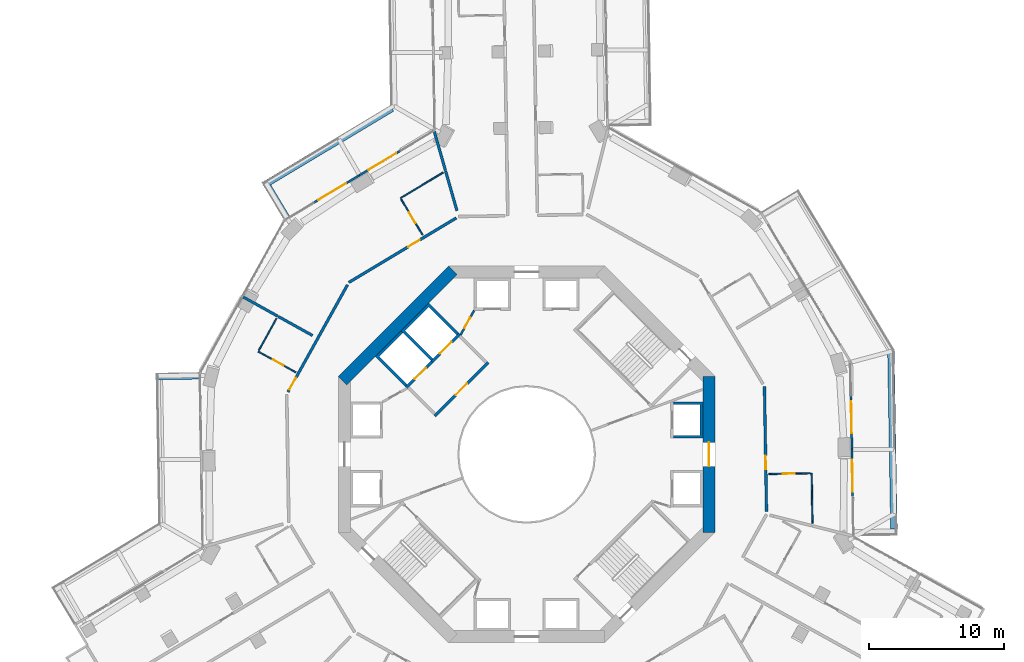
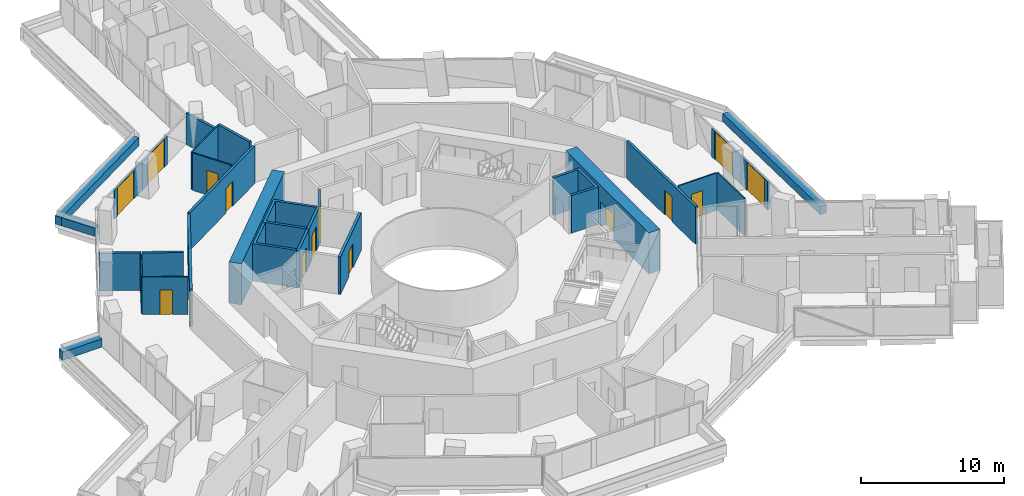
# One storey, part 20 of 25: 30 walls, 15 doors, 15 openings.
"""IFC4 building model written with IfcOpenShell, lengths in metres."""

from ifc_helpers import new_model, si_unit, direction, frame, frame_2d, origin, place, context, subcontext, project, spatial, polyline, rectangle, outline, extrude, material, layer, layer_set, type_object, element, fill, save


model = new_model("IFC4")

# Units and contexts
model_context = context("Model", 3, precision=1e-05, world=origin(), true_north=direction((0.0, 1.0)))
body_context = subcontext(model_context, "Body", "Model", "MODEL_VIEW")
ifc_project = project(units=[si_unit("LENGTHUNIT", "METRE"), si_unit("AREAUNIT", "SQUARE_METRE"), si_unit("VOLUMEUNIT", "CUBIC_METRE"), si_unit("PLANEANGLEUNIT", "RADIAN"), si_unit("MASSUNIT", "GRAM", prefix="KILO")], contexts=[model_context])

# Site, building, storey
site_placement = place(None, origin())
site = spatial("IfcSite", under=ifc_project, at=site_placement, CompositionType="ELEMENT")
building_placement = place(site_placement, origin())
building = spatial("IfcBuilding", under=site, at=building_placement, Name="Verdalira Terraces Hotel", CompositionType="ELEMENT")
storey_placement = place(building_placement, frame((0.0, 0.0, 39.0)))
storey = spatial("IfcBuildingStorey", under=building, at=storey_placement, Name="L07", CompositionType="ELEMENT", Elevation=39.0)

# Walls
ifc_material_1 = material(Name="Concrete C40", Category="concrete")
ifc_layer_1 = layer(ifc_material_1, 0.5)
ifc_layer_set_1 = layer_set([ifc_layer_1], Name="Balcony planter trough with tree")
wall_type_1 = type_object("IfcWallType", Name="Balcony planter trough with tree", PredefinedType="SOLIDWALL", material=ifc_layer_set_1)
wall_1_placement = place(storey_placement, frame((-10.007324, 25.725342, 0.0), z_axis=(0.0, 0.0, 1.0), x_axis=(-0.857529623, -0.514434589, 0.0)))
element("IfcWall", 1, at=wall_1_placement, inside=storey, type_object=wall_type_1, Name="Balcony planter", PredefinedType="SOLIDWALL", context=body_context, shape_type="SweptSolid", body=[
    extrude(rectangle(XDim=11.152588, YDim=0.5, at=frame_2d((5.576172, 0.0))), origin(), (0.0, 0.0, 1.0), 0.699951),
])
wall_2_placement = place(storey_placement, frame((-19.228027, 19.902344, 0.0), z_axis=(0.0, 0.0, 1.0), x_axis=(0.514429241, -0.857532831, 0.0)))
element("IfcWall", 2, at=wall_2_placement, inside=storey, type_object=wall_type_1, Name="Balcony planter", PredefinedType="SOLIDWALL", context=body_context, shape_type="SweptSolid", body=[
    extrude(rectangle(XDim=2.698975, YDim=0.5, at=frame_2d((1.349609, 0.0))), origin(), (0.0, 0.0, 1.0), 0.699951),
])
wall_3_placement = place(storey_placement, frame((-24.360596, 5.842773, 0.0), z_axis=(0.0, 0.0, 1.0), x_axis=(-0.999859034, -0.016790244, 0.0)))
element("IfcWall", 3, at=wall_3_placement, inside=storey, type_object=wall_type_1, Name="Balcony planter", PredefinedType="SOLIDWALL", context=body_context, shape_type="SweptSolid", body=[
    extrude(rectangle(XDim=3.198975, YDim=0.5, at=frame_2d((1.599609, 0.0))), origin(), (0.0, 0.0, 1.0), 0.699951),
])
wall_4_placement = place(storey_placement, frame((27.304932, -5.543213, 0.0), z_axis=(0.0, 0.0, 1.0), x_axis=(-0.016745874, 0.999859778, 0.0)))
element("IfcWall", 4, at=wall_4_placement, inside=storey, type_object=wall_type_1, Name="Balcony planter", PredefinedType="SOLIDWALL", context=body_context, shape_type="SweptSolid", body=[
    extrude(rectangle(XDim=13.223389, YDim=0.5, at=frame_2d((6.611816, 0.0))), origin(), (0.0, 0.0, 1.0), 0.699951),
])
ifc_material_2 = material(Name="Moisture-resistant gypsum board partition")
ifc_layer_2 = layer(ifc_material_2, 0.10009765625)
ifc_layer_set_2 = layer_set([ifc_layer_2], Name="Bathroom partition 100 mm")
wall_type_2 = type_object("IfcWallType", Name="Bathroom partition 100 mm", PredefinedType="PARTITIONING", material=ifc_layer_set_2)
wall_5_placement = place(storey_placement, frame((-19.906006, 7.735352, 0.0), z_axis=(0.0, 0.0, 1.0), x_axis=(0.485427932, 0.874276685, 0.0)))
element("IfcWall", 5, at=wall_5_placement, inside=storey, type_object=wall_type_2, Name="Bathroom partition", PredefinedType="PARTITIONING", context=body_context, shape_type="SweptSolid", body=[
    extrude(rectangle(XDim=2.699707, YDim=0.100098, at=frame_2d((1.349854, 0.0))), origin(), (0.0, 0.0, 1.0), 3.189941),
])

# Wall, opening, door
wall_6_placement = place(storey_placement, frame((-19.95459, 7.647705, 0.0), z_axis=(0.0, 0.0, 1.0), x_axis=(0.874290404, -0.485403224, 0.0)))
wall_6 = element("IfcWall", 6, at=wall_6_placement, inside=storey, type_object=wall_type_2, Name="Bathroom partition", PredefinedType="PARTITIONING", context=body_context, shape_type="SweptSolid", body=[
    extrude(rectangle(XDim=3.199951, YDim=0.100098, at=frame_2d((1.600098, 0.0))), origin(), (0.0, 0.0, 1.0), 3.189941),
])
opening_1_placement = place(wall_6_placement, frame((1.25, 0.0, 0.0)))
opening_1 = element("IfcOpeningElement", 7, at=opening_1_placement, cuts=wall_6, Name="Opening L07-111", PredefinedType="OPENING", context=body_context, shape_type="SweptSolid", body=[
    extrude(rectangle(XDim=0.899902, YDim=2.100098, at=frame_2d((0.449951, 1.050049))), frame((0.0, 0.060059, 0.0), z_axis=(0.0, -1.0, 0.0), x_axis=(1.0, 0.0, 0.0)), (0.0, 0.0, 1.0), 0.120117),
])
ifc_material_3 = material(Name="Timber door", Category="wood")
door_type_1 = type_object("IfcDoorType", Name="Bathroom door 900 x 2100", OperationType="NOTDEFINED", PredefinedType="DOOR", material=ifc_material_3)
door_1_placement = place(opening_1_placement, origin())
door_1 = element("IfcDoor", 8, at=door_1_placement, inside=storey, type_object=door_type_1, Name="Bathroom door 0705", OperationType="SINGLE_SWING_LEFT", OverallHeight=2.10009765625, OverallWidth=0.89990234375, PredefinedType="DOOR", context=body_context, shape_type="SweptSolid", body=[
    extrude(rectangle(XDim=0.899902, YDim=2.100098, at=frame_2d((0.449951, 1.050049))), frame((0.0, 0.024902, 0.0), z_axis=(0.0, -1.0, 0.0), x_axis=(1.0, 0.0, 0.0)), (0.0, 0.0, 1.0), 0.050049),
])
fill(opening_1, door_1)

wall_7_placement = place(storey_placement, frame((-9.325439, 18.962646, 0.0), z_axis=(0.0, 0.0, 1.0), x_axis=(0.514414684, -0.857541563, 0.0)))
wall_7 = element("IfcWall", 9, at=wall_7_placement, inside=storey, type_object=wall_type_2, Name="Bathroom partition", PredefinedType="PARTITIONING", context=body_context, shape_type="SweptSolid", body=[
    extrude(rectangle(XDim=3.100098, YDim=0.100098, at=frame_2d((1.550049, 0.0))), origin(), (0.0, 0.0, 1.0), 3.189941),
])
opening_2_placement = place(wall_7_placement, frame((1.149902, 0.0, 0.0)))
opening_2 = element("IfcOpeningElement", 10, at=opening_2_placement, cuts=wall_7, Name="Opening L07-109", PredefinedType="OPENING", context=body_context, shape_type="SweptSolid", body=[
    extrude(rectangle(XDim=0.899902, YDim=2.100098, at=frame_2d((0.449951, 1.050049))), frame((0.0, 0.060059, 0.0), z_axis=(0.0, -1.0, 0.0), x_axis=(1.0, 0.0, 0.0)), (0.0, 0.0, 1.0), 0.120117),
])
door_2_placement = place(opening_2_placement, origin())
door_2 = element("IfcDoor", 11, at=door_2_placement, inside=storey, type_object=door_type_1, Name="Bathroom door 0704", OperationType="SINGLE_SWING_LEFT", OverallHeight=2.10009765625, OverallWidth=0.89990234375, PredefinedType="DOOR", context=body_context, shape_type="SweptSolid", body=[
    extrude(rectangle(XDim=0.899902, YDim=2.100098, at=frame_2d((0.449951, 1.050049))), frame((0.0, 0.024902, 0.0), z_axis=(0.0, -1.0, 0.0), x_axis=(1.0, 0.0, 0.0)), (0.0, 0.0, 1.0), 0.050049),
])
fill(opening_2, door_2)

# Wall
wall_8_placement = place(storey_placement, frame((-9.376953, 19.04834, 0.0), z_axis=(0.0, 0.0, 1.0), x_axis=(0.857522003, 0.51444729, 0.0)))
element("IfcWall", 12, at=wall_8_placement, inside=storey, type_object=wall_type_2, Name="Bathroom partition", PredefinedType="PARTITIONING", context=body_context, shape_type="SweptSolid", body=[
    extrude(rectangle(XDim=3.704102, YDim=0.100098, at=frame_2d((1.852051, 0.0))), origin(), (0.0, 0.0, 1.0), 3.189941),
])

# Wall, opening, door
wall_9_placement = place(storey_placement, frame((21.084717, -1.405273, 0.0), z_axis=(0.0, 0.0, 1.0), x_axis=(-0.999859275, -0.016775898, 0.0)))
wall_9 = element("IfcWall", 13, at=wall_9_placement, inside=storey, type_object=wall_type_2, Name="Bathroom partition", PredefinedType="PARTITIONING", context=body_context, shape_type="SweptSolid", body=[
    extrude(rectangle(XDim=3.099854, YDim=0.100098, at=frame_2d((1.549805, 0.0))), origin(), (0.0, 0.0, 1.0), 3.189941),
])
opening_3_placement = place(wall_9_placement, frame((1.149902, 0.0, 0.0)))
opening_3 = element("IfcOpeningElement", 14, at=opening_3_placement, cuts=wall_9, Name="Opening L07-130", PredefinedType="OPENING", context=body_context, shape_type="SweptSolid", body=[
    extrude(rectangle(XDim=0.899902, YDim=2.100098, at=frame_2d((0.449951, 1.050049))), frame((0.0, 0.060059, 0.0), z_axis=(0.0, -1.0, 0.0), x_axis=(1.0, 0.0, 0.0)), (0.0, 0.0, 1.0), 0.120117),
])
door_3_placement = place(opening_3_placement, origin())
door_3 = element("IfcDoor", 15, at=door_3_placement, inside=storey, type_object=door_type_1, Name="Bathroom door 0714", OperationType="SINGLE_SWING_LEFT", OverallHeight=2.10009765625, OverallWidth=0.89990234375, PredefinedType="DOOR", context=body_context, shape_type="SweptSolid", body=[
    extrude(rectangle(XDim=0.899902, YDim=2.100098, at=frame_2d((0.449951, 1.050049))), frame((0.0, 0.024902, 0.0), z_axis=(0.0, -1.0, 0.0), x_axis=(1.0, 0.0, 0.0)), (0.0, 0.0, 1.0), 0.050049),
])
fill(opening_3, door_3)

# Walls
wall_10_placement = place(storey_placement, frame((21.184814, -1.403564, 0.0), z_axis=(0.0, 0.0, 1.0), x_axis=(0.01674233, -0.999859837, 0.0)))
element("IfcWall", 16, at=wall_10_placement, inside=storey, type_object=wall_type_2, Name="Bathroom partition", PredefinedType="PARTITIONING", context=body_context, shape_type="SweptSolid", body=[
    extrude(rectangle(XDim=3.703857, YDim=0.100098, at=frame_2d((1.852051, 0.0))), origin(), (0.0, 0.0, 1.0), 3.189941),
])
ifc_material_4 = material(Name="Concrete C50", Category="concrete")
ifc_layer_3 = layer(ifc_material_4, 0.199951171875)
ifc_layer_set_3 = layer_set([ifc_layer_3], Name="Core RC wall 200 C50")
wall_type_3 = type_object("IfcWallType", Name="Core RC wall 200 C50", PredefinedType="SOLIDWALL", material=ifc_layer_set_3)
wall_11_placement = place(storey_placement, origin())
element("IfcWall", 17, at=wall_11_placement, inside=storey, type_object=wall_type_3, Name="L07 shaft wall E2", PredefinedType="SOLIDWALL", context=body_context, shape_type="SweptSolid", body=[
    extrude(outline(polyline([(13.100098, 3.899902), (13.100098, 1.199951), (10.899902, 1.199951), (10.899902, 1.399902), (12.899902, 1.399902), (12.899902, 3.699951), (10.899902, 3.699951), (10.899902, 3.899902), (13.100098, 3.899902)])), origin(), (0.0, 0.0, 1.0), 3.189941),
])
wall_12_placement = place(storey_placement, origin())
element("IfcWall", 18, at=wall_12_placement, inside=storey, type_object=wall_type_3, Name="L07 shaft wall F1", PredefinedType="SOLIDWALL", context=body_context, shape_type="SweptSolid", body=[
    extrude(outline(polyline([(-9.33374, 9.192383), (-7.283203, 11.24292), (-5.055908, 9.015625), (-5.197266, 8.874268), (-7.283203, 10.960205), (-9.051025, 9.192383), (-6.965088, 7.106445), (-7.106445, 6.965088), (-9.33374, 9.192383)])), origin(), (0.0, 0.0, 1.0), 3.189941),
])

# Wall, opening, door
wall_13_placement = place(storey_placement, frame((-4.985107, 8.944824, 0.0), z_axis=(0.0, 0.0, 1.0), x_axis=(-0.707106781, -0.707106781, 0.0)))
wall_13 = element("IfcWall", 19, at=wall_13_placement, inside=storey, type_object=wall_type_3, Name="L07 shaft front wall F1", PredefinedType="SOLIDWALL", context=body_context, shape_type="SweptSolid", body=[
    extrude(rectangle(XDim=2.899902, YDim=0.199951, at=frame_2d((1.449951, 0.0))), origin(), (0.0, 0.0, 1.0), 3.189941),
])
opening_4_placement = place(wall_13_placement, frame((0.850098, 0.0, 0.0)))
opening_4 = element("IfcOpeningElement", 20, at=opening_4_placement, cuts=wall_13, Name="Opening LD-L07-807", PredefinedType="OPENING", context=body_context, shape_type="SweptSolid", body=[
    extrude(rectangle(XDim=1.199951, YDim=2.100098, at=frame_2d((0.600098, 1.050049))), frame((0.0, 0.109863, 0.0), z_axis=(0.0, -1.0, 0.0), x_axis=(1.0, 0.0, 0.0)), (0.0, 0.0, 1.0), 0.219971),
])
ifc_material_5 = material(Name="Stainless steel", Category="steel")
door_type_2 = type_object("IfcDoorType", Name="Landing door 1200 x 2100", OperationType="NOTDEFINED", PredefinedType="DOOR", material=ifc_material_5)
door_4_placement = place(opening_4_placement, origin())
door_4 = element("IfcDoor", 21, at=door_4_placement, inside=storey, type_object=door_type_2, Name="Lift landing door LF11 L07", OperationType="DOUBLE_DOOR_SLIDING", OverallHeight=2.10009765625, OverallWidth=1.199951171875, PredefinedType="DOOR", context=body_context, shape_type="SweptSolid", body=[
    extrude(rectangle(XDim=1.199951, YDim=2.100098, at=frame_2d((0.600098, 1.050049))), frame((0.0, 0.024902, 0.0), z_axis=(0.0, -1.0, 0.0), x_axis=(1.0, 0.0, 0.0)), (0.0, 0.0, 1.0), 0.050049),
])
fill(opening_4, door_4)

# Wall
wall_14_placement = place(storey_placement, origin())
element("IfcWall", 22, at=wall_14_placement, inside=storey, type_object=wall_type_3, Name="L07 shaft wall F2", PredefinedType="SOLIDWALL", context=body_context, shape_type="SweptSolid", body=[
    extrude(outline(polyline([(-11.24292, 7.283203), (-9.33374, 9.192383), (-9.192383, 9.051025), (-10.960205, 7.283203), (-8.874268, 5.197266), (-9.015625, 5.055908), (-11.24292, 7.283203)])), origin(), (0.0, 0.0, 1.0), 3.189941),
])

# Wall, opening, door
wall_15_placement = place(storey_placement, frame((-7.035645, 6.894287, 0.0), z_axis=(0.0, 0.0, 1.0), x_axis=(-0.707106781, -0.707106781, 0.0)))
wall_15 = element("IfcWall", 23, at=wall_15_placement, inside=storey, type_object=wall_type_3, Name="L07 shaft front wall F2", PredefinedType="SOLIDWALL", context=body_context, shape_type="SweptSolid", body=[
    extrude(rectangle(XDim=2.699951, YDim=0.199951, at=frame_2d((1.350098, 0.0))), origin(), (0.0, 0.0, 1.0), 3.189941),
])
opening_5_placement = place(wall_15_placement, frame((0.649902, 0.0, 0.0)))
opening_5 = element("IfcOpeningElement", 24, at=opening_5_placement, cuts=wall_15, Name="Opening LD-L07-808", PredefinedType="OPENING", context=body_context, shape_type="SweptSolid", body=[
    extrude(rectangle(XDim=1.199951, YDim=2.100098, at=frame_2d((0.600098, 1.050049))), frame((0.0, 0.109863, 0.0), z_axis=(0.0, -1.0, 0.0), x_axis=(1.0, 0.0, 0.0)), (0.0, 0.0, 1.0), 0.219971),
])
door_5_placement = place(opening_5_placement, origin())
door_5 = element("IfcDoor", 25, at=door_5_placement, inside=storey, type_object=door_type_2, Name="Lift landing door LF12 L07", OperationType="DOUBLE_DOOR_SLIDING", OverallHeight=2.10009765625, OverallWidth=1.199951171875, PredefinedType="DOOR", context=body_context, shape_type="SweptSolid", body=[
    extrude(rectangle(XDim=1.199951, YDim=2.100098, at=frame_2d((0.600098, 1.050049))), frame((0.0, 0.024902, 0.0), z_axis=(0.0, -1.0, 0.0), x_axis=(1.0, 0.0, 0.0)), (0.0, 0.0, 1.0), 0.050049),
])
fill(opening_5, door_5)

wall_16_placement = place(storey_placement, frame((-2.86377, 6.823486, 0.0), z_axis=(0.0, 0.0, 1.0), x_axis=(-0.707106781, -0.707106781, 0.0)))
wall_16 = element("IfcWall", 26, at=wall_16_placement, inside=storey, type_object=wall_type_3, Name="L07 fire lobby wall", PredefinedType="SOLIDWALL", context=body_context, shape_type="SweptSolid", body=[
    extrude(rectangle(XDim=5.599854, YDim=0.199951, at=frame_2d((2.799805, 0.0))), origin(), (0.0, 0.0, 1.0), 3.189941),
])
opening_6_placement = place(wall_16_placement, frame((2.199951, 0.0, 0.0)))
opening_6 = element("IfcOpeningElement", 27, at=opening_6_placement, cuts=wall_16, Name="Opening L07-819", PredefinedType="OPENING", context=body_context, shape_type="SweptSolid", body=[
    extrude(rectangle(XDim=1.199951, YDim=2.100098, at=frame_2d((0.600098, 1.050049))), frame((0.0, 0.109863, 0.0), z_axis=(0.0, -1.0, 0.0), x_axis=(1.0, 0.0, 0.0)), (0.0, 0.0, 1.0), 0.219971),
])
ifc_material_6 = material(Name="Steel fire door", Category="steel")
door_type_3 = type_object("IfcDoorType", Name="Lobby door 1200 x 2100", OperationType="NOTDEFINED", PredefinedType="DOOR", material=ifc_material_6)
door_6_placement = place(opening_6_placement, origin())
door_6 = element("IfcDoor", 28, at=door_6_placement, inside=storey, type_object=door_type_3, Name="Fire lobby door L07", OperationType="SINGLE_SWING_LEFT", OverallHeight=2.10009765625, OverallWidth=1.199951171875, PredefinedType="DOOR", context=body_context, shape_type="SweptSolid", body=[
    extrude(rectangle(XDim=1.199951, YDim=2.100098, at=frame_2d((0.600098, 1.050049))), frame((0.0, 0.024902, 0.0), z_axis=(0.0, -1.0, 0.0), x_axis=(1.0, 0.0, 0.0)), (0.0, 0.0, 1.0), 0.050049),
])
fill(opening_6, door_6)

ifc_material_7 = material(Name="Gypsum board partition")
ifc_layer_4 = layer(ifc_material_7, 0.14990234375)
ifc_layer_set_4 = layer_set([ifc_layer_4], Name="Core partition 150 mm")
wall_type_4 = type_object("IfcWallType", Name="Core partition 150 mm", PredefinedType="PARTITIONING", material=ifc_layer_set_4)
wall_17_placement = place(storey_placement, frame((-3.899902, 10.699951, 0.0), z_axis=(0.0, 0.0, 1.0), x_axis=(-0.485692555, -0.874129705, 0.0)))
wall_17 = element("IfcWall", 29, at=wall_17_placement, inside=storey, type_object=wall_type_4, Name="Room partition L07", PredefinedType="PARTITIONING", context=body_context, shape_type="SweptSolid", body=[
    extrude(rectangle(XDim=2.088623, YDim=0.149902, at=frame_2d((1.044434, 0.0))), origin(), (0.0, 0.0, 1.0), 3.189941),
])
opening_7_placement = place(wall_17_placement, frame((0.594238, 0.0, 0.0)))
opening_7 = element("IfcOpeningElement", 30, at=opening_7_placement, cuts=wall_17, Name="Opening L07-820", PredefinedType="OPENING", context=body_context, shape_type="SweptSolid", body=[
    extrude(rectangle(XDim=0.899902, YDim=2.100098, at=frame_2d((0.449951, 1.050049))), frame((0.0, 0.084961, 0.0), z_axis=(0.0, -1.0, 0.0), x_axis=(1.0, 0.0, 0.0)), (0.0, 0.0, 1.0), 0.169922),
])
ifc_material_8 = material(Name="Steel fire door", Category="steel")
door_type_4 = type_object("IfcDoorType", Name="Core room door 900 x 2100", OperationType="NOTDEFINED", PredefinedType="DOOR", material=ifc_material_8)
door_7_placement = place(opening_7_placement, origin())
door_7 = element("IfcDoor", 31, at=door_7_placement, inside=storey, type_object=door_type_4, Name="Door L07 room2", OperationType="SINGLE_SWING_LEFT", OverallHeight=2.10009765625, OverallWidth=0.89990234375, PredefinedType="DOOR", context=body_context, shape_type="SweptSolid", body=[
    extrude(rectangle(XDim=0.899902, YDim=2.100098, at=frame_2d((0.449951, 1.050049))), frame((0.0, 0.024902, 0.0), z_axis=(0.0, -1.0, 0.0), x_axis=(1.0, 0.0, 0.0)), (0.0, 0.0, 1.0), 0.050049),
])
fill(opening_7, door_7)

ifc_material_9 = material(Name="Concrete C70", Category="concrete")
ifc_layer_5 = layer(ifc_material_9, 0.89990234375)
ifc_layer_set_5 = layer_set([ifc_layer_5], Name="Core wall 900 C70")
wall_type_5 = type_object("IfcWallType", Name="Core wall 900 C70", PredefinedType="SHEAR", material=ifc_layer_set_5)
wall_18_placement = place(storey_placement, frame((13.550049, -5.799072, 0.0), z_axis=(0.0, 0.0, 1.0), x_axis=(0.0, 1.0, 0.0)))
wall_18 = element("IfcWall", 32, at=wall_18_placement, inside=storey, type_object=wall_type_5, Name="Core wall CW-L07-1", PredefinedType="SHEAR", context=body_context, shape_type="SweptSolid", body=[
    extrude(rectangle(XDim=11.598145, YDim=0.899902, at=frame_2d((5.799072, 0.0))), origin(), (0.0, 0.0, 1.0), 3.5),
])
opening_8_placement = place(wall_18_placement, frame((4.898926, 0.0, 0.0)))
opening_8 = element("IfcOpeningElement", 33, at=opening_8_placement, cuts=wall_18, Name="Opening L07-812", PredefinedType="OPENING", context=body_context, shape_type="SweptSolid", body=[
    extrude(rectangle(XDim=1.800049, YDim=2.100098, at=frame_2d((0.899902, 1.050049))), frame((0.0, 0.459961, 0.0), z_axis=(0.0, -1.0, 0.0), x_axis=(1.0, 0.0, 0.0)), (0.0, 0.0, 1.0), 0.919922),
])
ifc_material_10 = material(Name="Steel fire door", Category="steel")
door_type_5 = type_object("IfcDoorType", Name="Core entry door pair 1800 x 2100", OperationType="NOTDEFINED", PredefinedType="DOOR", material=ifc_material_10)
door_8_placement = place(opening_8_placement, origin())
door_8 = element("IfcDoor", 34, at=door_8_placement, inside=storey, type_object=door_type_5, Name="Core entry door L07 0", OperationType="DOUBLE_DOOR_SINGLE_SWING", OverallHeight=2.10009765625, OverallWidth=1.800048828125, PredefinedType="DOOR", context=body_context, shape_type="SweptSolid", body=[
    extrude(rectangle(XDim=1.800049, YDim=2.100098, at=frame_2d((0.899902, 1.050049))), frame((0.0, 0.024902, 0.0), z_axis=(0.0, -1.0, 0.0), x_axis=(1.0, 0.0, 0.0)), (0.0, 0.0, 1.0), 0.050049),
])
fill(opening_8, door_8)

# Walls
wall_19_placement = place(storey_placement, frame((-5.480713, 13.681885, 0.0), z_axis=(0.0, 0.0, 1.0), x_axis=(-0.707106781, -0.707106781, 0.0)))
element("IfcWall", 35, at=wall_19_placement, inside=storey, type_object=wall_type_5, Name="Core wall CW-L07-4", PredefinedType="SHEAR", context=body_context, shape_type="SweptSolid", body=[
    extrude(rectangle(XDim=11.598145, YDim=0.899902, at=frame_2d((5.799072, 0.0))), origin(), (0.0, 0.0, 1.0), 3.5),
])
ifc_material_11 = material(Name="Fire-rated gypsum board wall")
ifc_layer_6 = layer(ifc_material_11, 0.199951171875)
ifc_layer_set_6 = layer_set([ifc_layer_6], Name="Demising wall 200 mm")
wall_type_6 = type_object("IfcWallType", Name="Demising wall 200 mm", PredefinedType="SOLIDWALL", material=ifc_layer_set_6)
wall_20_placement = place(storey_placement, frame((-18.496582, 10.269775, 0.0), z_axis=(0.0, 0.0, 1.0), x_axis=(-0.874289886, 0.485404157, 0.0)))
element("IfcWall", 36, at=wall_20_placement, inside=storey, type_object=wall_type_6, Name="Demising wall", PredefinedType="SOLIDWALL", context=body_context, shape_type="SweptSolid", body=[
    extrude(rectangle(XDim=2.951904, YDim=0.199951, at=frame_2d((1.476074, 0.0))), origin(), (0.0, 0.0, 1.0), 3.189941),
])
wall_21_placement = place(storey_placement, frame((-15.916748, 8.837402, 0.0), z_axis=(0.0, 0.0, 1.0), x_axis=(-0.874296003, 0.485393138, 0.0)))
element("IfcWall", 37, at=wall_21_placement, inside=storey, type_object=wall_type_6, Name="Demising wall", PredefinedType="SOLIDWALL", context=body_context, shape_type="SweptSolid", body=[
    extrude(rectangle(XDim=2.904785, YDim=0.199951, at=frame_2d((1.452393, 0.0))), origin(), (0.0, 0.0, 1.0), 3.189941),
])
wall_22_placement = place(storey_placement, frame((-5.178223, 18.106201, 0.0), z_axis=(0.0, 0.0, 1.0), x_axis=(-0.274983308, 0.961449, 0.0)))
element("IfcWall", 38, at=wall_22_placement, inside=storey, type_object=wall_type_6, Name="Demising wall", PredefinedType="SOLIDWALL", context=body_context, shape_type="SweptSolid", body=[
    extrude(rectangle(XDim=3.074463, YDim=0.199951, at=frame_2d((1.537109, 0.0))), origin(), (0.0, 0.0, 1.0), 3.189941),
])
ifc_material_12 = material(Name="Fire-rated gypsum board wall")
ifc_layer_7 = layer(ifc_material_12, 0.199951171875)
ifc_layer_set_7 = layer_set([ifc_layer_7], Name="Demising wall 200 mm to beam soffit")
wall_type_7 = type_object("IfcWallType", Name="Demising wall 200 mm to beam soffit", PredefinedType="SOLIDWALL", material=ifc_layer_set_7)
wall_23_placement = place(storey_placement, frame((-6.036133, 21.106445, 0.0), z_axis=(0.0, 0.0, 1.0), x_axis=(-0.274999518, 0.961444364, 0.0)))
element("IfcWall", 39, at=wall_23_placement, inside=storey, type_object=wall_type_7, Name="Demising wall", PredefinedType="SOLIDWALL", context=body_context, shape_type="SweptSolid", body=[
    extrude(rectangle(XDim=3.011475, YDim=0.199951, at=frame_2d((1.505859, 0.0))), origin(), (0.0, 0.0, 1.0), 2.689941),
])

# Wall, opening, door
ifc_material_13 = material(Name="Fire-rated gypsum board wall")
ifc_layer_8 = layer(ifc_material_13, 0.199951171875)
ifc_layer_set_8 = layer_set([ifc_layer_8], Name="Guest corridor wall 200 mm")
wall_type_8 = type_object("IfcWallType", Name="Guest corridor wall 200 mm", PredefinedType="SOLIDWALL", material=ifc_layer_set_8)
wall_24_placement = place(storey_placement, frame((-17.738281, 4.635498, 0.0), z_axis=(0.0, 0.0, 1.0), x_axis=(0.485438257, 0.874270953, 0.0)))
wall_24 = element("IfcWall", 40, at=wall_24_placement, inside=storey, type_object=wall_type_8, Name="Guest corridor wall", PredefinedType="SOLIDWALL", context=body_context, shape_type="SweptSolid", body=[
    extrude(rectangle(XDim=9.115479, YDim=0.199951, at=frame_2d((4.557617, 0.0))), origin(), (0.0, 0.0, 1.0), 3.189941),
])
opening_9_placement = place(wall_24_placement, frame((0.199951, 0.0, 0.0)))
opening_9 = element("IfcOpeningElement", 41, at=opening_9_placement, cuts=wall_24, Name="Opening L07-110", PredefinedType="OPENING", context=body_context, shape_type="SweptSolid", body=[
    extrude(rectangle(XDim=1.0, YDim=2.100098, at=frame_2d((0.5, 1.050049))), frame((0.0, 0.109863, 0.0), z_axis=(0.0, -1.0, 0.0), x_axis=(1.0, 0.0, 0.0)), (0.0, 0.0, 1.0), 0.219971),
])
ifc_material_14 = material(Name="Timber fire door", Category="wood")
door_type_6 = type_object("IfcDoorType", Name="Guest entry door 1000 x 2100", OperationType="NOTDEFINED", PredefinedType="DOOR", material=ifc_material_14)
door_9_placement = place(opening_9_placement, origin())
door_9 = element("IfcDoor", 42, at=door_9_placement, inside=storey, type_object=door_type_6, Name="Guest entry door 0705", OperationType="SINGLE_SWING_LEFT", OverallHeight=2.10009765625, OverallWidth=1.0, PredefinedType="DOOR", context=body_context, shape_type="SweptSolid", body=[
    extrude(rectangle(XDim=1.0, YDim=2.100098, at=frame_2d((0.5, 1.050049))), frame((0.0, 0.024902, 0.0), z_axis=(0.0, -1.0, 0.0), x_axis=(1.0, 0.0, 0.0)), (0.0, 0.0, 1.0), 0.050049),
])
fill(opening_9, door_9)

wall_25_placement = place(storey_placement, frame((-13.215576, 12.780518, 0.0), z_axis=(0.0, 0.0, 1.0), x_axis=(0.85751836, 0.514453362, 0.0)))
wall_25 = element("IfcWall", 43, at=wall_25_placement, inside=storey, type_object=wall_type_8, Name="Guest corridor wall", PredefinedType="SOLIDWALL", context=body_context, shape_type="SweptSolid", body=[
    extrude(rectangle(XDim=9.316162, YDim=0.199951, at=frame_2d((4.658203, 0.0))), origin(), (0.0, 0.0, 1.0), 3.189941),
])
opening_10_placement = place(wall_25_placement, frame((5.149902, 0.0, 0.0)))
opening_10 = element("IfcOpeningElement", 44, at=opening_10_placement, cuts=wall_25, Name="Opening L07-108", PredefinedType="OPENING", context=body_context, shape_type="SweptSolid", body=[
    extrude(rectangle(XDim=1.0, YDim=2.100098, at=frame_2d((0.5, 1.050049))), frame((0.0, 0.109863, 0.0), z_axis=(0.0, -1.0, 0.0), x_axis=(1.0, 0.0, 0.0)), (0.0, 0.0, 1.0), 0.219971),
])
door_10_placement = place(opening_10_placement, origin())
door_10 = element("IfcDoor", 45, at=door_10_placement, inside=storey, type_object=door_type_6, Name="Guest entry door 0704", OperationType="SINGLE_SWING_LEFT", OverallHeight=2.10009765625, OverallWidth=1.0, PredefinedType="DOOR", context=body_context, shape_type="SweptSolid", body=[
    extrude(rectangle(XDim=1.0, YDim=2.100098, at=frame_2d((0.5, 1.050049))), frame((0.0, 0.024902, 0.0), z_axis=(0.0, -1.0, 0.0), x_axis=(1.0, 0.0, 0.0)), (0.0, 0.0, 1.0), 0.050049),
])
fill(opening_10, door_10)

wall_26_placement = place(storey_placement, frame((17.676025, 5.054688, 0.0), z_axis=(0.0, 0.0, 1.0), x_axis=(0.016772206, -0.999859337, 0.0)))
wall_26 = element("IfcWall", 46, at=wall_26_placement, inside=storey, type_object=wall_type_8, Name="Guest corridor wall", PredefinedType="SOLIDWALL", context=body_context, shape_type="SweptSolid", body=[
    extrude(rectangle(XDim=9.315918, YDim=0.199951, at=frame_2d((4.657959, 0.0))), origin(), (0.0, 0.0, 1.0), 3.189941),
])
opening_11_placement = place(wall_26_placement, frame((5.149902, 0.0, 0.0)))
opening_11 = element("IfcOpeningElement", 47, at=opening_11_placement, cuts=wall_26, Name="Opening L07-129", PredefinedType="OPENING", context=body_context, shape_type="SweptSolid", body=[
    extrude(rectangle(XDim=1.0, YDim=2.100098, at=frame_2d((0.5, 1.050049))), frame((0.0, 0.109863, 0.0), z_axis=(0.0, -1.0, 0.0), x_axis=(1.0, 0.0, 0.0)), (0.0, 0.0, 1.0), 0.219971),
])
door_11_placement = place(opening_11_placement, origin())
door_11 = element("IfcDoor", 48, at=door_11_placement, inside=storey, type_object=door_type_6, Name="Guest entry door 0714", OperationType="SINGLE_SWING_LEFT", OverallHeight=2.10009765625, OverallWidth=1.0, PredefinedType="DOOR", context=body_context, shape_type="SweptSolid", body=[
    extrude(rectangle(XDim=1.0, YDim=2.100098, at=frame_2d((0.5, 1.050049))), frame((0.0, 0.024902, 0.0), z_axis=(0.0, -1.0, 0.0), x_axis=(1.0, 0.0, 0.0)), (0.0, 0.0, 1.0), 0.050049),
])
fill(opening_11, door_11)

ifc_material_15 = material(Name="Terracotta cladding", Category="masonry")
ifc_layer_9 = layer(ifc_material_15, 0.14990234375)
ifc_layer_set_9 = layer_set([ifc_layer_9], Name="Terracotta door pier 150")
wall_type_9 = type_object("IfcWallType", Name="Terracotta door pier 150", PredefinedType="SOLIDWALL", material=ifc_layer_set_9)
wall_27_placement = place(storey_placement, frame((-9.35376, 22.589844, 0.0), z_axis=(0.0, 0.0, 1.0), x_axis=(-0.857522843, -0.51444589, 0.0)))
wall_27 = element("IfcWall", 49, at=wall_27_placement, inside=storey, type_object=wall_type_9, Name="Terracotta door pier", PredefinedType="SOLIDWALL", context=body_context, shape_type="SweptSolid", body=[
    extrude(rectangle(XDim=3.600098, YDim=0.149902, at=frame_2d((1.800049, 0.0))), origin(), (0.0, 0.0, 1.0), 2.425049),
])
opening_12_placement = place(wall_27_placement, frame((0.399902, 0.0, 0.0)))
opening_12 = element("IfcOpeningElement", 50, at=opening_12_placement, cuts=wall_27, Name="Opening L07-B07", PredefinedType="OPENING", context=body_context, shape_type="SweptSolid", body=[
    extrude(rectangle(XDim=2.399902, YDim=2.399902, at=frame_2d((1.199951, 1.199951))), frame((0.0, 0.084961, 0.0), z_axis=(0.0, -1.0, 0.0), x_axis=(1.0, 0.0, 0.0)), (0.0, 0.0, 1.0), 0.169922),
])
ifc_material_16 = material(Name="Clear glass", Category="glass")
door_type_7 = type_object("IfcDoorType", Name="Balcony sliding door 2400x2400", OperationType="NOTDEFINED", PredefinedType="DOOR", material=ifc_material_16)
door_12_placement = place(opening_12_placement, origin())
door_12 = element("IfcDoor", 51, at=door_12_placement, inside=storey, type_object=door_type_7, Name="Balcony sliding door", OperationType="SLIDING_TO_RIGHT", OverallHeight=2.39990234375, OverallWidth=2.39990234375, PredefinedType="DOOR", context=body_context, shape_type="SweptSolid", body=[
    extrude(rectangle(XDim=2.399902, YDim=2.399902, at=frame_2d((1.199951, 1.199951))), frame((0.0, 0.024902, 0.0), z_axis=(0.0, -1.0, 0.0), x_axis=(1.0, 0.0, 0.0)), (0.0, 0.0, 1.0), 0.050049),
])
fill(opening_12, door_12)

wall_28_placement = place(storey_placement, frame((-12.440918, 20.737793, 0.0), z_axis=(0.0, 0.0, 1.0), x_axis=(-0.857536436, -0.514423231, 0.0)))
wall_28 = element("IfcWall", 52, at=wall_28_placement, inside=storey, type_object=wall_type_9, Name="Terracotta door pier", PredefinedType="SOLIDWALL", context=body_context, shape_type="SweptSolid", body=[
    extrude(rectangle(XDim=3.960449, YDim=0.149902, at=frame_2d((1.980225, 0.0))), origin(), (0.0, 0.0, 1.0), 2.425049),
])
opening_13_placement = place(wall_28_placement, frame((1.1604, 0.0, 0.0)))
opening_13 = element("IfcOpeningElement", 53, at=opening_13_placement, cuts=wall_28, Name="Opening L07-B08", PredefinedType="OPENING", context=body_context, shape_type="SweptSolid", body=[
    extrude(rectangle(XDim=2.399902, YDim=2.399902, at=frame_2d((1.199951, 1.199951))), frame((0.0, 0.084961, 0.0), z_axis=(0.0, -1.0, 0.0), x_axis=(1.0, 0.0, 0.0)), (0.0, 0.0, 1.0), 0.169922),
])
door_13_placement = place(opening_13_placement, origin())
door_13 = element("IfcDoor", 54, at=door_13_placement, inside=storey, type_object=door_type_7, Name="Balcony sliding door", OperationType="SLIDING_TO_LEFT", OverallHeight=2.39990234375, OverallWidth=2.39990234375, PredefinedType="DOOR", context=body_context, shape_type="SweptSolid", body=[
    extrude(rectangle(XDim=2.399902, YDim=2.399902, at=frame_2d((1.199951, 1.199951))), frame((0.0, 0.024902, 0.0), z_axis=(0.0, -1.0, 0.0), x_axis=(1.0, 0.0, 0.0)), (0.0, 0.0, 1.0), 0.050049),
])
fill(opening_13, door_13)

wall_29_placement = place(storey_placement, frame((24.240234, -3.194336, 0.0), z_axis=(0.0, 0.0, 1.0), x_axis=(-0.016750227, 0.999859705, 0.0)))
wall_29 = element("IfcWall", 55, at=wall_29_placement, inside=storey, type_object=wall_type_9, Name="Terracotta door pier", PredefinedType="SOLIDWALL", context=body_context, shape_type="SweptSolid", body=[
    extrude(rectangle(XDim=3.600098, YDim=0.149902, at=frame_2d((1.800049, 0.0))), origin(), (0.0, 0.0, 1.0), 2.425049),
])
opening_14_placement = place(wall_29_placement, frame((0.399902, 0.0, 0.0)))
opening_14 = element("IfcOpeningElement", 56, at=opening_14_placement, cuts=wall_29, Name="Opening L07-B18", PredefinedType="OPENING", context=body_context, shape_type="SweptSolid", body=[
    extrude(rectangle(XDim=2.399902, YDim=2.399902, at=frame_2d((1.199951, 1.199951))), frame((0.0, 0.084961, 0.0), z_axis=(0.0, -1.0, 0.0), x_axis=(1.0, 0.0, 0.0)), (0.0, 0.0, 1.0), 0.169922),
])
door_14_placement = place(opening_14_placement, origin())
door_14 = element("IfcDoor", 57, at=door_14_placement, inside=storey, type_object=door_type_7, Name="Balcony sliding door", OperationType="SLIDING_TO_RIGHT", OverallHeight=2.39990234375, OverallWidth=2.39990234375, PredefinedType="DOOR", context=body_context, shape_type="SweptSolid", body=[
    extrude(rectangle(XDim=2.399902, YDim=2.399902, at=frame_2d((1.199951, 1.199951))), frame((0.0, 0.024902, 0.0), z_axis=(0.0, -1.0, 0.0), x_axis=(1.0, 0.0, 0.0)), (0.0, 0.0, 1.0), 0.050049),
])
fill(opening_14, door_14)

wall_30_placement = place(storey_placement, frame((24.179932, 0.405273, 0.0), z_axis=(0.0, 0.0, 1.0), x_axis=(-0.016767063, 0.999859423, 0.0)))
wall_30 = element("IfcWall", 58, at=wall_30_placement, inside=storey, type_object=wall_type_9, Name="Terracotta door pier", PredefinedType="SOLIDWALL", context=body_context, shape_type="SweptSolid", body=[
    extrude(rectangle(XDim=3.960449, YDim=0.149902, at=frame_2d((1.980225, 0.0))), origin(), (0.0, 0.0, 1.0), 2.425049),
])
opening_15_placement = place(wall_30_placement, frame((1.1604, 0.0, 0.0)))
opening_15 = element("IfcOpeningElement", 59, at=opening_15_placement, cuts=wall_30, Name="Opening L07-B19", PredefinedType="OPENING", context=body_context, shape_type="SweptSolid", body=[
    extrude(rectangle(XDim=2.399902, YDim=2.399902, at=frame_2d((1.199951, 1.199951))), frame((0.0, 0.084961, 0.0), z_axis=(0.0, -1.0, 0.0), x_axis=(1.0, 0.0, 0.0)), (0.0, 0.0, 1.0), 0.169922),
])
door_15_placement = place(opening_15_placement, origin())
door_15 = element("IfcDoor", 60, at=door_15_placement, inside=storey, type_object=door_type_7, Name="Balcony sliding door", OperationType="SLIDING_TO_LEFT", OverallHeight=2.39990234375, OverallWidth=2.39990234375, PredefinedType="DOOR", context=body_context, shape_type="SweptSolid", body=[
    extrude(rectangle(XDim=2.399902, YDim=2.399902, at=frame_2d((1.199951, 1.199951))), frame((0.0, 0.024902, 0.0), z_axis=(0.0, -1.0, 0.0), x_axis=(1.0, 0.0, 0.0)), (0.0, 0.0, 1.0), 0.050049),
])
fill(opening_15, door_15)

save(model, "model.ifc")
